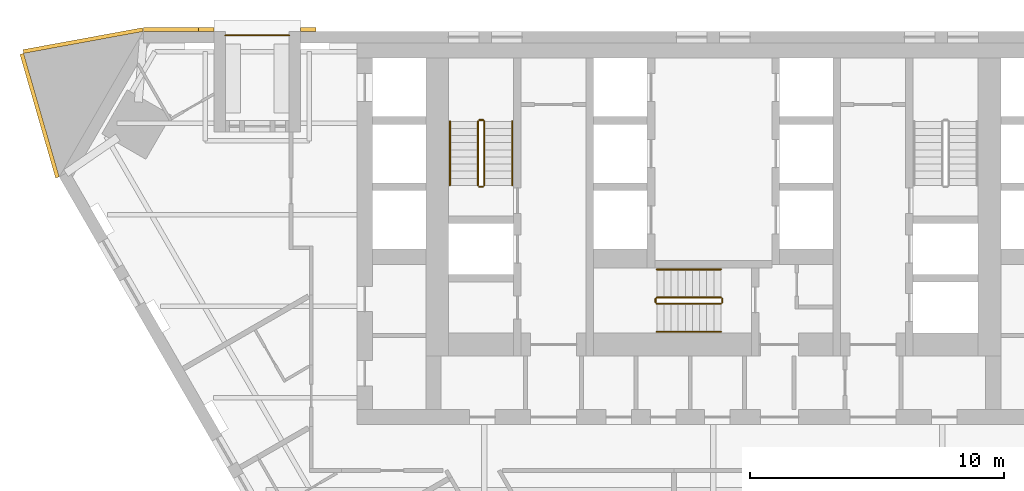
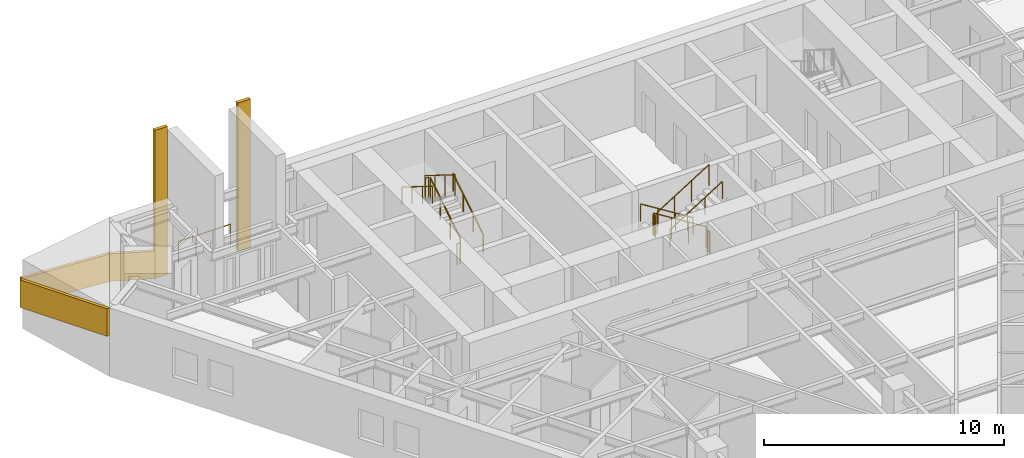
# One storey, part 9 of 10: 13 railings, 5 coverings.
"""IFC4 building model written with IfcOpenShell, lengths in metres."""

import ifcopenshell
import ifcopenshell.guid

model = None  # the IFC model being written
_history = None  # IfcOwnerHistory: only IFC2X3 demands one
_inside = {}  # id of a spatial element -> (the spatial element, [elements in it])
_under = {}  # id of a project, library or spatial element -> (it, [spatial elements below it])
_declared = {}  # id of a project -> (the project, [libraries it declares])
_typed = {}  # id of a type object -> (the type object, [elements of that type])
_made_of = {}  # id of a material, layer set ... -> (it, [elements and type objects made of it])


def new_model(schema):
    """Start an empty IFC model of exactly this schema.

    Asked for "IFC4X3", IfcOpenShell would pick the latest addendum, in which some entities
    have other attributes; the version numbers below select the first issue.
    IFC2X3 requires an IfcOwnerHistory on every rooted entity: one is made here for all.
    """
    global model, _history
    if schema == "IFC4X3":
        model = ifcopenshell.file(schema_version=(4, 3, 0, 0))
    else:
        model = ifcopenshell.file(schema=schema)
    _inside.clear()
    _under.clear()
    _declared.clear()
    _typed.clear()
    _made_of.clear()
    _history = None
    if model.schema == "IFC2X3":
        org = make("IfcOrganization", Name="unknown")
        user = make(
            "IfcPersonAndOrganization",
            ThePerson=make("IfcPerson", FamilyName="unknown"),
            TheOrganization=org,
        )
        app = make(
            "IfcApplication",
            ApplicationDeveloper=org,
            Version="unknown",
            ApplicationFullName="unknown",
            ApplicationIdentifier="unknown",
        )
        _history = make(
            "IfcOwnerHistory",
            OwningUser=user,
            OwningApplication=app,
            ChangeAction="ADDED",
            CreationDate=0,
        )
    return model


def make(cls, **values):
    """One entity of the class cls with the attributes given. An attribute that is None is left unset."""
    return model.create_entity(
        cls, **{name: value for name, value in values.items() if value is not None}
    )


def rooted(cls, **values):
    """An entity with a GlobalId (a new one), such as an element, a storey or a relation."""
    return make(cls, GlobalId=ifcopenshell.guid.new(), OwnerHistory=_history, **values)


def si_unit(unit_type, name, prefix=None):
    """IfcSIUnit, for example si_unit("LENGTHUNIT", "METRE", prefix="MILLI")."""
    return make("IfcSIUnit", UnitType=unit_type, Prefix=prefix, Name=name)


def assignment(units):
    """IfcUnitAssignment: the units of a project."""
    return None if units is None else make("IfcUnitAssignment", Units=units)


def point(xyz):
    """IfcCartesianPoint."""
    return None if xyz is None else make("IfcCartesianPoint", Coordinates=xyz)


def direction(xyz):
    """IfcDirection."""
    return None if xyz is None else make("IfcDirection", DirectionRatios=xyz)


def frame(location, z_axis=None, x_axis=None):
    """IfcAxis2Placement3D, a coordinate frame: its origin and axes. An axis left out is left unset."""
    return make(
        "IfcAxis2Placement3D",
        Location=point(location),
        Axis=direction(z_axis),
        RefDirection=direction(x_axis),
    )


def frame_2d(location, x_axis=None):
    """IfcAxis2Placement2D, a coordinate frame in the plane: its origin and x axis."""
    return make(
        "IfcAxis2Placement2D", Location=point(location), RefDirection=direction(x_axis)
    )


def origin():
    """The frame at (0, 0, 0) with its axes left unset."""
    return frame((0.0, 0.0, 0.0))


def origin_2d():
    """The frame at (0, 0) in the plane with its x axis left unset."""
    return frame_2d((0.0, 0.0))


def place(relative_to, where):
    """IfcLocalPlacement: puts the frame where relative to a parent placement (None: the world)."""
    return make(
        "IfcLocalPlacement", PlacementRelTo=relative_to, RelativePlacement=where
    )


def context(
    kind, dimensions, precision=None, world=None, true_north=None, identifier=None
):
    """IfcGeometricRepresentationContext, for example the 3D "Model" context."""
    return make(
        "IfcGeometricRepresentationContext",
        ContextIdentifier=identifier,
        ContextType=kind,
        CoordinateSpaceDimension=dimensions,
        Precision=precision,
        WorldCoordinateSystem=world,
        TrueNorth=true_north,
    )


def subcontext(parent, identifier, kind, view, scale=None):
    """IfcGeometricRepresentationSubContext, for example "Body" below "Model"."""
    return make(
        "IfcGeometricRepresentationSubContext",
        ContextIdentifier=identifier,
        ContextType=kind,
        ParentContext=parent,
        TargetScale=scale,
        TargetView=view,
    )


def project(units=None, contexts=None):
    """IfcProject with its units and contexts."""
    return rooted(
        "IfcProject",
        Name="project",
        RepresentationContexts=contexts,
        UnitsInContext=assignment(units),
    )


def spatial(cls, under=None, at=None, **own):
    """A site, building, storey or space (cls), placed at a placement, below another one or the project."""
    s = rooted(cls, ObjectPlacement=at, **own)
    if under is not None:
        _under.setdefault(under.id(), (under, []))[1].append(s)
    return s


def polyline(points):
    """IfcPolyline through the points."""
    return make("IfcPolyline", Points=[point(p) for p in points])


def profile(cls, at=None, kind="AREA", **sizes):
    """A parametric profile (cls). Its sizes go by their IFC names, for example OverallWidth=200.0."""
    return make(cls, ProfileType=kind, Position=at, **sizes)


def circle(**sizes):
    """IfcCircleProfileDef."""
    return profile("IfcCircleProfileDef", **sizes)


def outline(outer, holes=None, kind="AREA"):
    """IfcArbitraryClosedProfileDef: a profile drawn as a closed curve; with holes, ...WithVoids."""
    if holes is None:
        return make("IfcArbitraryClosedProfileDef", ProfileType=kind, OuterCurve=outer)
    return make(
        "IfcArbitraryProfileDefWithVoids",
        ProfileType=kind,
        OuterCurve=outer,
        InnerCurves=holes,
    )


def extrude(swept, where, along, depth):
    """IfcExtrudedAreaSolid: the profile swept, set in the frame where, extruded along a direction by depth."""
    return make(
        "IfcExtrudedAreaSolid",
        SweptArea=swept,
        Position=where,
        ExtrudedDirection=direction(along),
        Depth=depth,
    )


def shape(context_of_items, identifier, shape_type, items):
    """IfcShapeRepresentation: the items that make up one representation, for example the "Body"."""
    return make(
        "IfcShapeRepresentation",
        ContextOfItems=context_of_items,
        RepresentationIdentifier=identifier,
        RepresentationType=shape_type,
        Items=items,
    )


def material(Name=None, Category=None):
    """IfcMaterial."""
    return make("IfcMaterial", Name=Name, Category=Category)


def layer(
    of_material, thickness, ventilated=None, Name=None, Category=None, Priority=None
):
    """IfcMaterialLayer: one layer of a wall or slab, of a material (None: an air gap)."""
    return make(
        "IfcMaterialLayer",
        Material=of_material,
        LayerThickness=thickness,
        IsVentilated=ventilated,
        Name=Name,
        Category=Category,
        Priority=Priority,
    )


def layer_set(layers, Name=None):
    """IfcMaterialLayerSet."""
    return make("IfcMaterialLayerSet", MaterialLayers=layers, LayerSetName=Name)


def made_of(thing, what):
    """Note that an element or type object is made of a material, layer set ...; save() writes the relation."""
    if what is not None:
        _made_of.setdefault(what.id(), (what, []))[1].append(thing)
    return thing


def type_object(cls, material=None, **own):
    """A type object (cls), such as IfcWallType, which elements share."""
    return made_of(rooted(cls, **own), material)


def element(
    cls,
    number,
    at=None,
    inside=None,
    cuts=None,
    type_object=None,
    material=None,
    context=None,
    identifier="Body",
    shape_type=None,
    held_by="IfcProductDefinitionShape",
    body=None,
    shapes=None,
    **own,
):
    """One element of the class cls, such as IfcWall. Its Tag is "e" and its number.

    at: its placement. inside: the storey or other place that contains it. cuts: it is an
    opening in that element (IfcRelVoidsElement). A single representation is given by context,
    identifier, shape_type and body (its items); several are given by shapes. held_by: the class
    of the entity that holds the representations. save() writes the other relations.
    """
    e = rooted(cls, Tag="e%d" % number, ObjectPlacement=at, **own)
    if body is not None:
        shapes = [shape(context, identifier, shape_type, body)]
    if shapes is not None:
        e.Representation = make(held_by, Representations=shapes)
    if inside is not None:
        _inside.setdefault(inside.id(), (inside, []))[1].append(e)
    if cuts is not None:
        rooted(
            "IfcRelVoidsElement", RelatingBuildingElement=cuts, RelatedOpeningElement=e
        )
    if type_object is not None:
        _typed.setdefault(type_object.id(), (type_object, []))[1].append(e)
    return made_of(e, material)


def aggregate(whole, parts):
    """IfcRelAggregates: a whole, such as a stair, and the parts it consists of."""
    return rooted("IfcRelAggregates", RelatingObject=whole, RelatedObjects=parts)


def save(model, path):
    """Write the relations noted so far, then the file.

    IfcRelAggregates (storeys below a building ...), IfcRelContainedInSpatialStructure (elements
    in a storey), IfcRelDefinesByType, IfcRelAssociatesMaterial and IfcRelDeclares: one each for
    every whole, place, type object, material and project.
    """
    for whole, parts in _under.values():
        aggregate(whole, parts)
    for where, things in _inside.values():
        rooted(
            "IfcRelContainedInSpatialStructure",
            RelatedElements=things,
            RelatingStructure=where,
        )
    for kind, things in _typed.values():
        rooted("IfcRelDefinesByType", RelatedObjects=things, RelatingType=kind)
    for what, things in _made_of.values():
        rooted("IfcRelAssociatesMaterial", RelatedObjects=things, RelatingMaterial=what)
    for by, libraries in _declared.values():
        rooted("IfcRelDeclares", RelatingContext=by, RelatedDefinitions=libraries)
    model.write(path)


model = new_model("IFC4")

# Units and contexts
model_context = context("Model", 3, precision=1e-05, world=origin(), true_north=direction((0.0, 1.0)))
body_context = subcontext(model_context, "Body", "Model", "MODEL_VIEW")
ifc_project = project(units=[si_unit("LENGTHUNIT", "METRE"), si_unit("AREAUNIT", "SQUARE_METRE"), si_unit("VOLUMEUNIT", "CUBIC_METRE"), si_unit("PLANEANGLEUNIT", "RADIAN"), si_unit("MASSUNIT", "GRAM", prefix="KILO")], contexts=[model_context])

# Site, building, storey
site_placement = place(None, origin())
site = spatial("IfcSite", under=ifc_project, at=site_placement, CompositionType="ELEMENT")
building_placement = place(site_placement, origin())
building = spatial("IfcBuilding", under=site, at=building_placement, Name="Aloe Facet Convention Tower", CompositionType="ELEMENT")
storey_placement = place(building_placement, frame((0.0, 0.0, 45.5)))
storey = spatial("IfcBuildingStorey", under=building, at=storey_placement, Name="L09", CompositionType="ELEMENT", Elevation=45.5)

# Railings
ifc_material_1 = material(Name="Steel S355 balustrade", Category="steel")
railing_type_1 = type_object("IfcRailingType", Name="CR-RL-GUARD", PredefinedType="GUARDRAIL", material=ifc_material_1)
railing_1_placement = place(storey_placement, frame((71.0, 128.949951171875, 0.175048828125)))
element("IfcRailing", 1, at=railing_1_placement, inside=storey, type_object=railing_type_1, Name="L09 ST1 stair guard 1", PredefinedType="GUARDRAIL", context=body_context, shape_type="SweptSolid", body=[
    extrude(circle(Radius=0.02392578125, at=origin_2d()), frame((0.0, 0.0, 1.076171875), z_axis=(0.0, 0.848007534815, 0.529984170421), x_axis=(-1.0, 0.0, 0.0)), (0.0, 0.0, 1.0), 2.9716796875),
    extrude(circle(Radius=0.02099609375, at=origin_2d()), origin(), (0.0, 0.0, 1.0), 1.052001953125),
    extrude(circle(Radius=0.02099609375, at=origin_2d()), frame((0.0, 0.840087890625, 0.52490234375)), (0.0, 0.0, 1.0), 1.052001953125),
    extrude(circle(Radius=0.02099609375, at=origin_2d()), frame((0.0, 1.679931640625, 1.050048828125)), (0.0, 0.0, 1.0), 1.052001953125),
    extrude(circle(Radius=0.02099609375, at=origin_2d()), frame((0.0, 2.52001953125, 1.574951171875)), (0.0, 0.0, 1.0), 1.052001953125),
])
railing_2_placement = place(storey_placement, frame((70.949951171875, 131.52001953125, 1.75)))
element("IfcRailing", 2, at=railing_2_placement, inside=storey, type_object=railing_type_1, Name="L09 ST1 stair guard 2", PredefinedType="GUARDRAIL", context=body_context, shape_type="SweptSolid", body=[
    extrude(circle(Radius=0.02392578125, at=origin_2d()), frame((0.0, 0.0, 1.076171875), z_axis=(-1.0, 0.0, 0.0), x_axis=(0.0, -1.0, 0.0)), (0.0, 0.0, 1.0), 0.14990234375),
    extrude(circle(Radius=0.02099609375, at=origin_2d()), origin(), (0.0, 0.0, 1.0), 1.052001953125),
    extrude(circle(Radius=0.02099609375, at=origin_2d()), frame((-0.14990234375, 0.0, 0.0)), (0.0, 0.0, 1.0), 1.052001953125),
])
railing_3_placement = place(storey_placement, frame((70.75, 131.469970703125, 1.925048828125)))
element("IfcRailing", 3, at=railing_3_placement, inside=storey, type_object=railing_type_1, Name="L09 ST1 stair guard 3", PredefinedType="GUARDRAIL", context=body_context, shape_type="SweptSolid", body=[
    extrude(circle(Radius=0.02392578125, at=origin_2d()), frame((0.0, 0.0, 1.076171875), z_axis=(0.0, -0.848007534815, 0.529984170421), x_axis=(1.0, 0.0, 0.0)), (0.0, 0.0, 1.0), 2.9716796875),
    extrude(circle(Radius=0.02099609375, at=origin_2d()), origin(), (0.0, 0.0, 1.0), 1.052001953125),
    extrude(circle(Radius=0.02099609375, at=origin_2d()), frame((0.0, -0.840087890625, 0.52490234375)), (0.0, 0.0, 1.0), 1.052001953125),
    extrude(circle(Radius=0.02099609375, at=origin_2d()), frame((0.0, -1.679931640625, 1.050048828125)), (0.0, 0.0, 1.0), 1.052001953125),
    extrude(circle(Radius=0.02099609375, at=origin_2d()), frame((0.0, -2.52001953125, 1.574951171875)), (0.0, 0.0, 1.0), 1.052001953125),
])
railing_4_placement = place(storey_placement, frame((70.949951171875, 128.89990234375, 0.0)))
element("IfcRailing", 4, at=railing_4_placement, inside=storey, type_object=railing_type_1, Name="L09 ST1 stair guard 4", PredefinedType="GUARDRAIL", context=body_context, shape_type="SweptSolid", body=[
    extrude(circle(Radius=0.02392578125, at=origin_2d()), frame((0.0, 0.0, 1.076171875), z_axis=(-1.0, 0.0, 0.0), x_axis=(0.0, -1.0, 0.0)), (0.0, 0.0, 1.0), 0.14990234375),
    extrude(circle(Radius=0.02099609375, at=origin_2d()), origin(), (0.0, 0.0, 1.0), 1.052001953125),
    extrude(circle(Radius=0.02099609375, at=origin_2d()), frame((-0.14990234375, 0.0, 0.0)), (0.0, 0.0, 1.0), 1.052001953125),
])
railing_5_placement = place(storey_placement, frame((80.300048828125, 124.550048828125, 0.175048828125)))
element("IfcRailing", 5, at=railing_5_placement, inside=storey, type_object=railing_type_1, Name="L09 ST3 stair guard 1", PredefinedType="GUARDRAIL", context=body_context, shape_type="SweptSolid", body=[
    extrude(circle(Radius=0.02392578125, at=origin_2d()), frame((0.0, 0.0, 1.076171875), z_axis=(-0.848007534815, 0.0, 0.529984170421), x_axis=(0.0, -1.0, 0.0)), (0.0, 0.0, 1.0), 2.9716796875),
    extrude(circle(Radius=0.02099609375, at=origin_2d()), origin(), (0.0, 0.0, 1.0), 1.052001953125),
    extrude(circle(Radius=0.02099609375, at=origin_2d()), frame((-0.840087890625, 0.0, 0.52490234375)), (0.0, 0.0, 1.0), 1.052001953125),
    extrude(circle(Radius=0.02099609375, at=origin_2d()), frame((-1.679931640625, 0.0, 1.050048828125)), (0.0, 0.0, 1.0), 1.052001953125),
    extrude(circle(Radius=0.02099609375, at=origin_2d()), frame((-2.52001953125, 0.0, 1.574951171875)), (0.0, 0.0, 1.0), 1.052001953125),
])
railing_6_placement = place(storey_placement, frame((77.72998046875, 124.5, 1.75)))
element("IfcRailing", 6, at=railing_6_placement, inside=storey, type_object=railing_type_1, Name="L09 ST3 stair guard 2", PredefinedType="GUARDRAIL", context=body_context, shape_type="SweptSolid", body=[
    extrude(circle(Radius=0.02392578125, at=origin_2d()), frame((0.0, 0.0, 1.076171875), z_axis=(0.0, -1.0, 0.0), x_axis=(1.0, 0.0, 0.0)), (0.0, 0.0, 1.0), 0.14990234375),
    extrude(circle(Radius=0.02099609375, at=origin_2d()), origin(), (0.0, 0.0, 1.0), 1.052001953125),
    extrude(circle(Radius=0.02099609375, at=origin_2d()), frame((0.0, -0.14990234375, 0.0)), (0.0, 0.0, 1.0), 1.052001953125),
])
railing_7_placement = place(storey_placement, frame((77.780029296875, 124.300048828125, 1.925048828125)))
element("IfcRailing", 7, at=railing_7_placement, inside=storey, type_object=railing_type_1, Name="L09 ST3 stair guard 3", PredefinedType="GUARDRAIL", context=body_context, shape_type="SweptSolid", body=[
    extrude(circle(Radius=0.02392578125, at=origin_2d()), frame((0.0, 0.0, 1.076171875), z_axis=(0.848007534815, 0.0, 0.529984170421), x_axis=(0.0, 1.0, 0.0)), (0.0, 0.0, 1.0), 2.9716796875),
    extrude(circle(Radius=0.02099609375, at=origin_2d()), origin(), (0.0, 0.0, 1.0), 1.052001953125),
    extrude(circle(Radius=0.02099609375, at=origin_2d()), frame((0.840087890625, 0.0, 0.52490234375)), (0.0, 0.0, 1.0), 1.052001953125),
    extrude(circle(Radius=0.02099609375, at=origin_2d()), frame((1.679931640625, 0.0, 1.050048828125)), (0.0, 0.0, 1.0), 1.052001953125),
    extrude(circle(Radius=0.02099609375, at=origin_2d()), frame((2.52001953125, 0.0, 1.574951171875)), (0.0, 0.0, 1.0), 1.052001953125),
])
railing_8_placement = place(storey_placement, frame((80.35009765625, 124.5, 0.0)))
element("IfcRailing", 8, at=railing_8_placement, inside=storey, type_object=railing_type_1, Name="L09 ST3 stair guard 4", PredefinedType="GUARDRAIL", context=body_context, shape_type="SweptSolid", body=[
    extrude(circle(Radius=0.02392578125, at=origin_2d()), frame((0.0, 0.0, 1.076171875), z_axis=(0.0, -1.0, 0.0), x_axis=(1.0, 0.0, 0.0)), (0.0, 0.0, 1.0), 0.14990234375),
    extrude(circle(Radius=0.02099609375, at=origin_2d()), origin(), (0.0, 0.0, 1.0), 1.052001953125),
    extrude(circle(Radius=0.02099609375, at=origin_2d()), frame((0.0, -0.14990234375, 0.0)), (0.0, 0.0, 1.0), 1.052001953125),
])
ifc_material_2 = material(Name="Steel S355 handrail", Category="steel")
railing_type_2 = type_object("IfcRailingType", Name="CR-RL-HAND", PredefinedType="HANDRAIL", material=ifc_material_2)
railing_9_placement = place(storey_placement, frame((72.10009765625, 128.949951171875, 0.175048828125)))
element("IfcRailing", 9, at=railing_9_placement, inside=storey, type_object=railing_type_2, Name="L09 ST1 stair handrail 1", PredefinedType="HANDRAIL", context=body_context, shape_type="SweptSolid", body=[
    extrude(circle(Radius=0.02392578125, at=origin_2d()), frame((0.0, 0.0, 0.8759765625), z_axis=(0.0, 0.848007534815, 0.529984170421), x_axis=(-1.0, 0.0, 0.0)), (0.0, 0.0, 1.0), 2.9716796875),
    extrude(circle(Radius=0.02099609375, at=origin_2d()), origin(), (0.0, 0.0, 1.0), 0.851806640625),
    extrude(circle(Radius=0.02099609375, at=origin_2d()), frame((0.0, 0.840087890625, 0.52490234375)), (0.0, 0.0, 1.0), 0.851806640625),
    extrude(circle(Radius=0.02099609375, at=origin_2d()), frame((0.0, 1.679931640625, 1.050048828125)), (0.0, 0.0, 1.0), 0.851806640625),
    extrude(circle(Radius=0.02099609375, at=origin_2d()), frame((0.0, 2.52001953125, 1.574951171875)), (0.0, 0.0, 1.0), 0.851806640625),
])
railing_10_placement = place(storey_placement, frame((69.64990234375, 131.469970703125, 1.925048828125)))
element("IfcRailing", 10, at=railing_10_placement, inside=storey, type_object=railing_type_2, Name="L09 ST1 stair handrail 2", PredefinedType="HANDRAIL", context=body_context, shape_type="SweptSolid", body=[
    extrude(circle(Radius=0.02392578125, at=origin_2d()), frame((0.0, 0.0, 0.8759765625), z_axis=(0.0, -0.848007534815, 0.529984170421), x_axis=(1.0, 0.0, 0.0)), (0.0, 0.0, 1.0), 2.9716796875),
    extrude(circle(Radius=0.02099609375, at=origin_2d()), origin(), (0.0, 0.0, 1.0), 0.851806640625),
    extrude(circle(Radius=0.02099609375, at=origin_2d()), frame((0.0, -0.840087890625, 0.52490234375)), (0.0, 0.0, 1.0), 0.851806640625),
    extrude(circle(Radius=0.02099609375, at=origin_2d()), frame((0.0, -1.679931640625, 1.050048828125)), (0.0, 0.0, 1.0), 0.851806640625),
    extrude(circle(Radius=0.02099609375, at=origin_2d()), frame((0.0, -2.52001953125, 1.574951171875)), (0.0, 0.0, 1.0), 0.851806640625),
])
railing_11_placement = place(storey_placement, frame((80.300048828125, 125.64990234375, 0.175048828125)))
element("IfcRailing", 11, at=railing_11_placement, inside=storey, type_object=railing_type_2, Name="L09 ST3 stair handrail 1", PredefinedType="HANDRAIL", context=body_context, shape_type="SweptSolid", body=[
    extrude(circle(Radius=0.02392578125, at=origin_2d()), frame((0.0, 0.0, 0.8759765625), z_axis=(-0.848007534815, 0.0, 0.529984170421), x_axis=(0.0, -1.0, 0.0)), (0.0, 0.0, 1.0), 2.9716796875),
    extrude(circle(Radius=0.02099609375, at=origin_2d()), origin(), (0.0, 0.0, 1.0), 0.851806640625),
    extrude(circle(Radius=0.02099609375, at=origin_2d()), frame((-0.840087890625, 0.0, 0.52490234375)), (0.0, 0.0, 1.0), 0.851806640625),
    extrude(circle(Radius=0.02099609375, at=origin_2d()), frame((-1.679931640625, 0.0, 1.050048828125)), (0.0, 0.0, 1.0), 0.851806640625),
    extrude(circle(Radius=0.02099609375, at=origin_2d()), frame((-2.52001953125, 0.0, 1.574951171875)), (0.0, 0.0, 1.0), 0.851806640625),
])
railing_12_placement = place(storey_placement, frame((77.780029296875, 123.199951171875, 1.925048828125)))
element("IfcRailing", 12, at=railing_12_placement, inside=storey, type_object=railing_type_2, Name="L09 ST3 stair handrail 2", PredefinedType="HANDRAIL", context=body_context, shape_type="SweptSolid", body=[
    extrude(circle(Radius=0.02392578125, at=origin_2d()), frame((0.0, 0.0, 0.8759765625), z_axis=(0.848007534815, 0.0, 0.529984170421), x_axis=(0.0, 1.0, 0.0)), (0.0, 0.0, 1.0), 2.9716796875),
    extrude(circle(Radius=0.02099609375, at=origin_2d()), origin(), (0.0, 0.0, 1.0), 0.851806640625),
    extrude(circle(Radius=0.02099609375, at=origin_2d()), frame((0.840087890625, 0.0, 0.52490234375)), (0.0, 0.0, 1.0), 0.851806640625),
    extrude(circle(Radius=0.02099609375, at=origin_2d()), frame((1.679931640625, 0.0, 1.050048828125)), (0.0, 0.0, 1.0), 0.851806640625),
    extrude(circle(Radius=0.02099609375, at=origin_2d()), frame((2.52001953125, 0.0, 1.574951171875)), (0.0, 0.0, 1.0), 0.851806640625),
])

# Coverings
ifc_material_3 = material(Name="Bronze oxide fascia sheet")
ifc_layer = layer(ifc_material_3, 0.14990234375)
ifc_layer_set = layer_set([ifc_layer], Name="EV-FASCIA-TERR")
covering_type = type_object("IfcCoveringType", Name="EV-FASCIA-TERR", PredefinedType="CLADDING", material=ifc_layer_set)
covering_1_placement = place(storey_placement, frame((0.0, 0.0, -0.550048828125)))
element("IfcCovering", 13, at=covering_1_placement, inside=storey, type_object=covering_type, Name="Terrace frame T01 1", PredefinedType="CLADDING", context=body_context, shape_type="SweptSolid", body=[
    extrude(outline(polyline([(64.3798828125, 135.14990234375), (63.780029296875, 135.14990234375), (63.780029296875, 135.0), (64.3798828125, 135.0), (64.3798828125, 135.14990234375)])), origin(), (0.0, 0.0, 1.0), 7.550048828125),
])
covering_2_placement = place(storey_placement, frame((0.0, 0.0, -0.550048828125)))
element("IfcCovering", 14, at=covering_2_placement, inside=storey, type_object=covering_type, Name="Terrace frame T01 2", PredefinedType="CLADDING", context=body_context, shape_type="SweptSolid", body=[
    extrude(outline(polyline([(60.3798828125, 135.14990234375), (59.780029296875, 135.14990234375), (59.780029296875, 135.0), (60.3798828125, 135.0), (60.3798828125, 135.14990234375)])), origin(), (0.0, 0.0, 1.0), 7.550048828125),
])
covering_3_placement = place(storey_placement, frame((59.780029296875, 135.14990234375, -0.550048828125), z_axis=(0.0, 1.0, 0.0), x_axis=(-0.961214605895, 0.0, 0.275801525401)))
element("IfcCovering", 15, at=covering_3_placement, inside=storey, type_object=covering_type, Name="Spiral ribbon zone 1 part 2", PredefinedType="CLADDING", context=body_context, shape_type="SweptSolid", body=[
    extrude(outline(polyline([(0.0, 0.0), (2.2678927549112817, 0.0), (2.653987956729715, 1.3456065796396532), (0.38616253617522067, 1.3458412511742956), (0.0, 0.0)])), origin(), (0.0, 0.0, -1.0), 0.14990234375),
])
covering_4_placement = place(storey_placement, frame((57.572998046875, 135.1474609375, 0.075439453125), z_axis=(-0.180517359195, 0.983571798614, 0.0), x_axis=(-0.96581664822, -0.177258712632, 0.189149546171)))
element("IfcCovering", 16, at=covering_4_placement, inside=storey, type_object=covering_type, Name="Spiral ribbon zone 1 part 3 over the corner spine", PredefinedType="CLADDING", context=body_context, shape_type="SweptSolid", body=[
    extrude(outline(polyline([(0.0, 0.0), (4.866044750740446, 1.1102230246251565e-16), (5.1308356437443825, 1.3746317161403347), (0.2647908930039362, 1.3746317161403345), (0.0, 0.0)])), origin(), (0.0, 0.0, -1.0), 0.14990234375),
])
covering_5_placement = place(storey_placement, frame((52.75634765625, 134.095947265625, 0.995849609375), z_axis=(-0.960853537163, -0.277056817497, 0.0), x_axis=(0.272056044812, -0.94351048758, 0.189138754113)))
element("IfcCovering", 17, at=covering_5_placement, inside=storey, type_object=covering_type, Name="Spiral ribbon zone 1 part 4 over the corner spine", PredefinedType="CLADDING", context=body_context, shape_type="SweptSolid", body=[
    extrude(outline(polyline([(0.0, 0.0), (5.14384476723866, -1.1102230246251565e-16), (5.408666728868719, 1.3748743602038984), (0.26477578517641853, 1.3746346262265308), (0.0, 0.0)])), origin(), (0.0, 0.0, -1.0), 0.14990234375),
])

# Railing
ifc_material_4 = material(Name="Steel S355, bronze oxide finish", Category="steel")
railing_type_3 = type_object("IfcRailingType", Name="EV-GUARD-TERR", PredefinedType="GUARDRAIL", material=ifc_material_4)
railing_13_placement = place(storey_placement, frame((63.330078125, 134.85009765625, 0.0)))
element("IfcRailing", 18, at=railing_13_placement, inside=storey, type_object=railing_type_3, Name="GUARD T01", PredefinedType="GUARDRAIL", context=body_context, shape_type="SweptSolid", body=[
    extrude(circle(Radius=0.02392578125, at=origin_2d()), frame((0.0, 0.0, 1.076171875), z_axis=(-1.0, 0.0, 0.0), x_axis=(0.0, -1.0, 0.0)), (0.0, 0.0, 1.0), 2.5),
    extrude(circle(Radius=0.02099609375, at=origin_2d()), origin(), (0.0, 0.0, 1.0), 1.052001953125),
    extrude(circle(Radius=0.02099609375, at=origin_2d()), frame((-0.833251953125, 0.0, 0.0)), (0.0, 0.0, 1.0), 1.052001953125),
    extrude(circle(Radius=0.02099609375, at=origin_2d()), frame((-1.666748046875, 0.0, 0.0)), (0.0, 0.0, 1.0), 1.052001953125),
    extrude(circle(Radius=0.02099609375, at=origin_2d()), frame((-2.5, 0.0, 0.0)), (0.0, 0.0, 1.0), 1.052001953125),
])

save(model, "model.ifc")
